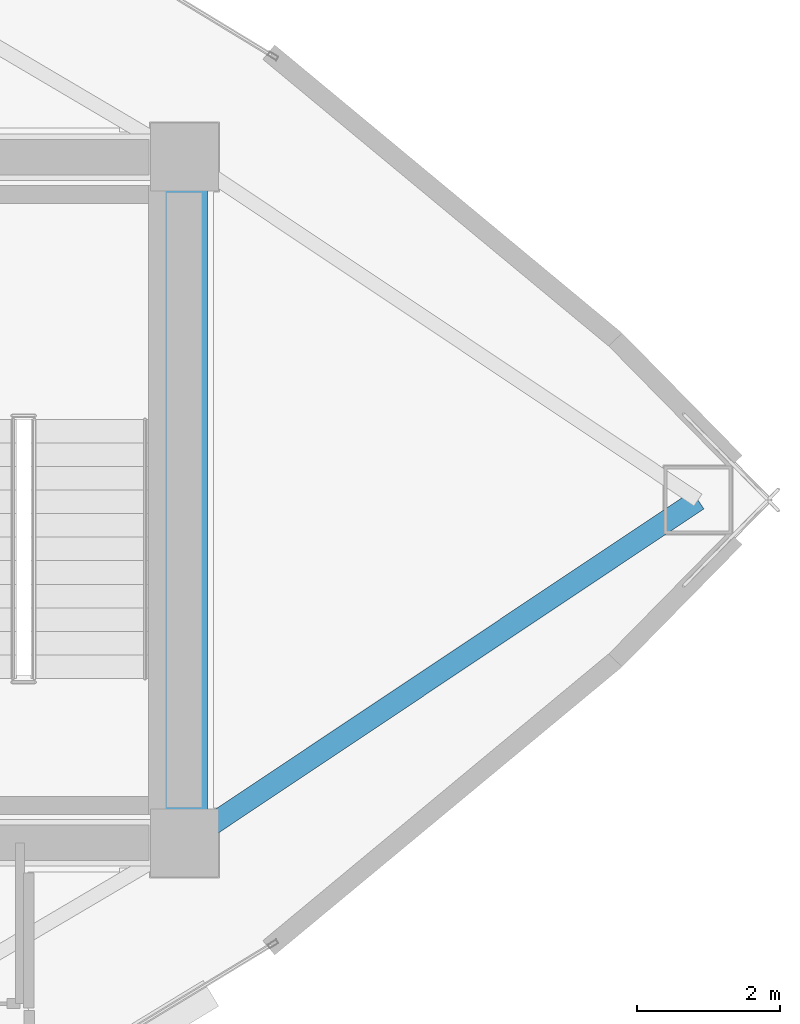
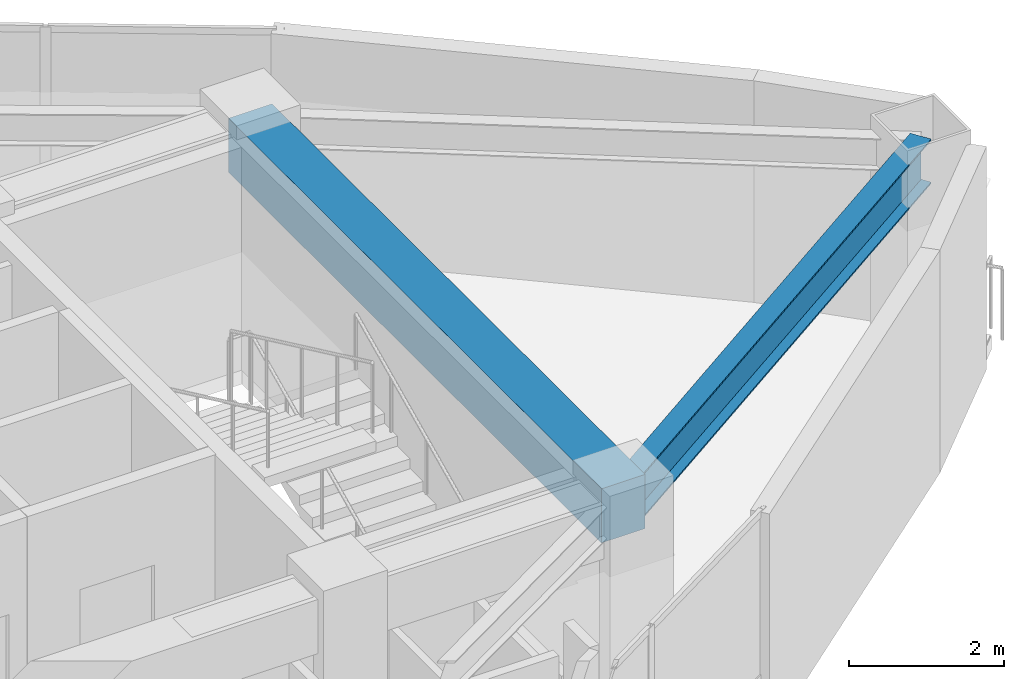
# One storey, part 6 of 16: 2 beams.
"""IFC4 building model written with IfcOpenShell, lengths in metres."""

from ifc_helpers import new_model, si_unit, direction, frame, origin, origin_2d, place, context, subcontext, project, spatial, rectangle, i_section, extrude, material, material_profile, profile_set, type_object, element, save


model = new_model("IFC4")

# Units and contexts
model_context = context("Model", 3, precision=1e-05, world=origin(), true_north=direction((0.0, 1.0)))
body_context = subcontext(model_context, "Body", "Model", "MODEL_VIEW")
ifc_project = project(units=[si_unit("LENGTHUNIT", "METRE"), si_unit("AREAUNIT", "SQUARE_METRE"), si_unit("VOLUMEUNIT", "CUBIC_METRE"), si_unit("PLANEANGLEUNIT", "RADIAN"), si_unit("MASSUNIT", "GRAM", prefix="KILO")], contexts=[model_context])

# Site, building, storey
site_placement = place(None, origin())
site = spatial("IfcSite", under=ifc_project, at=site_placement, CompositionType="ELEMENT")
building_placement = place(site_placement, origin())
building = spatial("IfcBuilding", under=site, at=building_placement, Name="Menara Vayukalpa", CompositionType="ELEMENT")
storey_placement = place(building_placement, frame((0.0, 0.0, 219.5400390625)))
storey = spatial("IfcBuildingStorey", under=building, at=storey_placement, Name="L55", CompositionType="ELEMENT", Elevation=219.5400390625)

# Beams
ifc_material_1 = material(Name="Concrete C60/75", Category="concrete")
ifc_material_profile_1 = material_profile(ifc_material_1, rectangle(XDim=0.64990234375, YDim=0.85009765625, at=origin_2d()), Name="RC 650x850")
ifc_profile_set_1 = profile_set([ifc_material_profile_1], Name="Concrete C60/75")
beam_type_1 = type_object("IfcBeamType", Name="BM-CB1", PredefinedType="BEAM", material=ifc_profile_set_1)
beam_1_placement = place(storey_placement, frame((33.39990234375, 17.199951171875, 3.074951171875), z_axis=(0.0, 1.0, 0.0), x_axis=(-1.0, 0.0, 0.0)))
element("IfcBeam", 1, at=beam_1_placement, inside=storey, type_object=beam_type_1, Name="L55 Core Tie Beam CBR8", PredefinedType="BEAM", context=body_context, shape_type="SweptSolid", body=[
    extrude(rectangle(XDim=0.64990234375, YDim=0.85009765625, at=origin_2d()), origin(), (0.0, 0.0, 1.0), 9.60009765625),
])
ifc_material_2 = material(Name="Steel S355", Category="steel")
ifc_material_profile_2 = material_profile(ifc_material_2, i_section(OverallWidth=0.300048828125, OverallDepth=0.699951171875, WebThickness=0.012939453125, FlangeThickness=0.02392578125, at=origin_2d()), Name="WF 700x300x13x24")
ifc_profile_set_2 = profile_set([ifc_material_profile_2], Name="Steel S355")
beam_type_2 = type_object("IfcBeamType", Name="BM-PG5", PredefinedType="BEAM", material=ifc_profile_set_2)
beam_2_placement = place(storey_placement, frame((33.60791015625, 17.3388671875, 3.14990234375), z_axis=(0.831719080732, 0.555196695547, 0.0), x_axis=(-0.555196695547, 0.831719080732, 0.0)))
element("IfcBeam", 2, at=beam_2_placement, inside=storey, type_object=beam_type_2, Name="L55 Primary Radial Girder RG01", PredefinedType="BEAM", context=body_context, shape_type="SweptSolid", body=[
    extrude(i_section(OverallWidth=0.300048828125, OverallDepth=0.699951171875, WebThickness=0.012939453125, FlangeThickness=0.02392578125, at=origin_2d()), origin(), (0.0, 0.0, 1.0), 8.3955078125),
])

save(model, "model.ifc")
